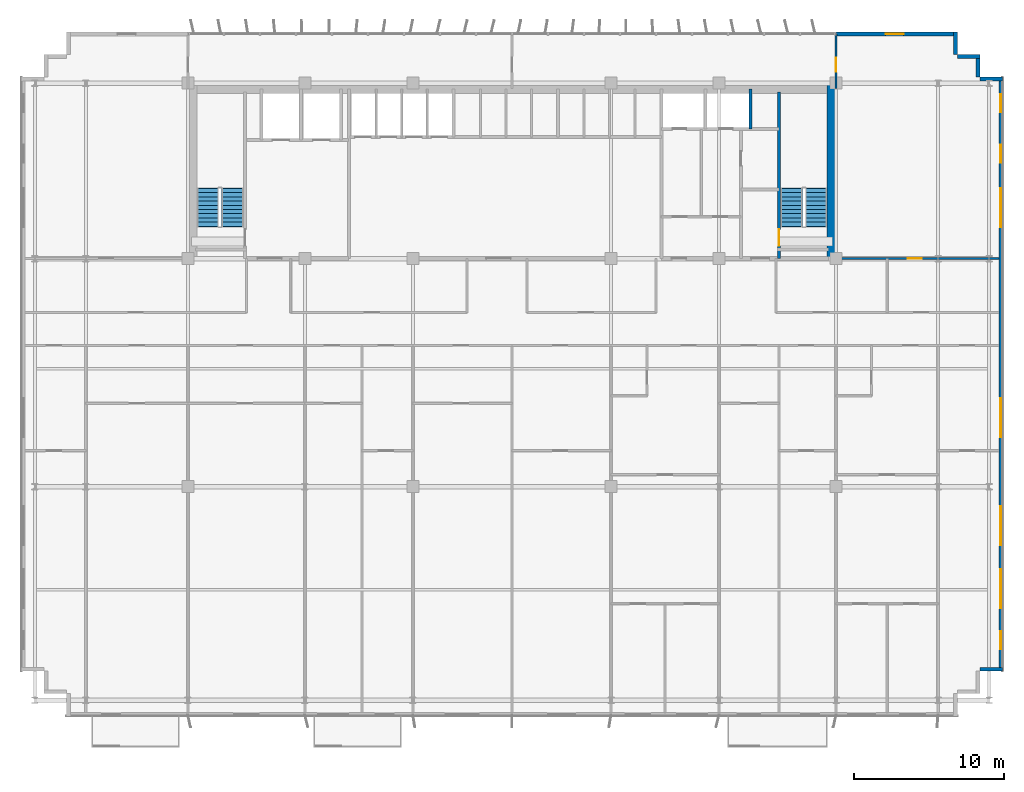
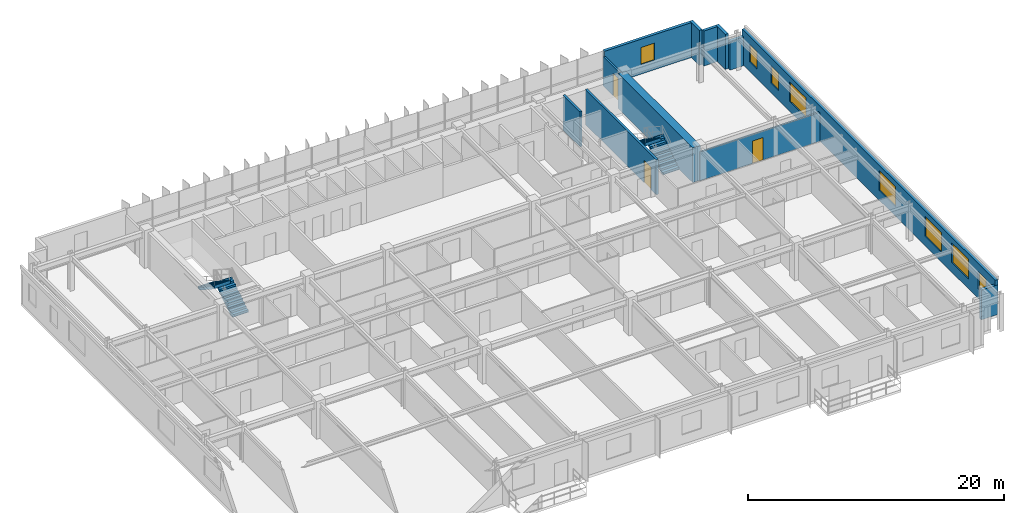
# One storey, part 18 of 21: 12 walls, 8 windows, 4 stair flights, 3 doors, 11 openings, 2 elements without a shape of their own.
"""IFC4 building model written with IfcOpenShell, lengths in metres."""

from ifc_helpers import new_model, si_unit, direction, frame, frame_2d, origin, place, context, subcontext, project, spatial, polyline, rectangle, outline, extrude, source, transform, mapped, material, layer, layer_set, type_object, element, fill, aggregate, save


model = new_model("IFC4")

# Units and contexts
model_context = context("Model", 3, precision=1e-05, world=origin(), true_north=direction((0.0, 1.0)))
body_context = subcontext(model_context, "Body", "Model", "MODEL_VIEW")
ifc_project = project(units=[si_unit("LENGTHUNIT", "METRE"), si_unit("AREAUNIT", "SQUARE_METRE"), si_unit("VOLUMEUNIT", "CUBIC_METRE"), si_unit("PLANEANGLEUNIT", "RADIAN"), si_unit("MASSUNIT", "GRAM", prefix="KILO")], contexts=[model_context])

# Site, building, storey
site_placement = place(None, origin())
site = spatial("IfcSite", under=ifc_project, at=site_placement, CompositionType="ELEMENT")
building_placement = place(site_placement, origin())
building = spatial("IfcBuilding", under=site, at=building_placement, Name="Trelvane Seafront Commons", CompositionType="ELEMENT")
storey_placement = place(building_placement, frame((0.0, 0.0, 110.5)))
storey = spatial("IfcBuildingStorey", under=building, at=storey_placement, Name="L28", CompositionType="ELEMENT", Elevation=110.5)

# Wall, opening, window
ifc_material_1 = material(Name="Precast concrete C40/50", Category="concrete")
ifc_layer_1 = layer(ifc_material_1, 0.260009765625, Name="ARCH-WALL-EXT260")
ifc_layer_set_1 = layer_set([ifc_layer_1], Name="Precast concrete C40/50")
wall_type_1 = type_object("IfcWallType", Name="ARCH-WALL-EXT260", PredefinedType="SOLIDWALL", material=ifc_layer_set_1)
wall_1_placement = place(storey_placement, frame((58.800048828125, 48.3701171875, 0.0), z_axis=(0.0, 0.0, 1.0), x_axis=(1.0, 0.0, 0.0)))
wall_1 = element("IfcWall", 1, at=wall_1_placement, inside=storey, type_object=wall_type_1, Name="EW-L28-NE-0518", PredefinedType="SOLIDWALL", context=body_context, shape_type="SweptSolid", body=[
    extrude(rectangle(XDim=8.0, YDim=0.260009765625, at=frame_2d((4.0, 0.0))), origin(), (0.0, 0.0, 1.0), 3.340087890625),
])
opening_1_placement = place(wall_1_placement, frame((3.30810546875, 0.0, 0.89990234375)))
opening_1 = element("IfcOpeningElement", 2, at=opening_1_placement, cuts=wall_1, Name="Opening W05", PredefinedType="OPENING", context=body_context, shape_type="SweptSolid", body=[
    extrude(rectangle(XDim=1.199951171875, YDim=1.64990234375, at=frame_2d((0.60009765625, 0.824951171875))), frame((0.0, 0.139892578125, 0.0), z_axis=(0.0, -1.0, 0.0), x_axis=(1.0, 0.0, 0.0)), (0.0, 0.0, 1.0), 0.280029296875),
])
ifc_material_2 = material(Name="Low-E coastal double glazing", Category="glass")
window_type_1 = type_object("IfcWindowType", Name="ARCH-WIN-W05", PartitioningType="SINGLE_PANEL", PredefinedType="WINDOW", material=ifc_material_2)
shared_shape_1 = source(origin(), body_context, "Body", "SweptSolid", [
    extrude(rectangle(XDim=1.199951171875, YDim=1.64990234375, at=frame_2d((0.60009765625, 0.824951171875))), frame((0.0, 0.030029296875, 0.0), z_axis=(0.0, -1.0, 0.0), x_axis=(1.0, 0.0, 0.0)), (0.0, 0.0, 1.0), 0.06005859375),
])
window_1_placement = place(opening_1_placement, origin())
window_1 = element("IfcWindow", 3, at=window_1_placement, inside=storey, type_object=window_type_1, Name="WIN-L28-00611", OverallHeight=1.64990234375, OverallWidth=1.199951171875, PartitioningType="SINGLE_PANEL", PredefinedType="WINDOW", context=body_context, shape_type="MappedRepresentation", body=[
    mapped(shared_shape_1, transform((0.0, 0.0, 0.0), x_axis=(1.0, 0.0, 0.0), y_axis=(0.0, 1.0, 0.0), z_axis=(0.0, 0.0, 1.0), scale=1.0)),
])
fill(opening_1, window_1)

# Walls
for number, where, z_axis, x_axis, name in (
    (4, (66.77001953125, 48.5, 0.0), (0.0, 0.0, 1.0), (0.0, -1.0, 0.0), "EW-L28-00527"),
    (5, (66.89990234375, 46.8701171875, 0.0), (0.0, 0.0, 1.0), (1.0, 0.0, 0.0), "EW-L28-00528"),
    (6, (68.27001953125, 47.0, 0.0), (0.0, 0.0, 1.0), (0.0, -1.0, 0.0), "EW-L28-00529"),
):
    element("IfcWall", number, at=place(storey_placement, frame(where, z_axis=z_axis, x_axis=x_axis)), inside=storey, type_object=wall_type_1, Name=name, PredefinedType="SOLIDWALL", context=body_context, shape_type="SweptSolid", body=[
        extrude(rectangle(XDim=1.5, YDim=0.260009765625, at=frame_2d((0.75, 0.0))), origin(), (0.0, 0.0, 1.0), 3.340087890625),
    ])
wall_2_placement = place(storey_placement, frame((68.39990234375, 45.3701171875, 0.0), z_axis=(0.0, 0.0, 1.0), x_axis=(1.0, 0.0, 0.0)))
element("IfcWall", 7, at=wall_2_placement, inside=storey, type_object=wall_type_1, Name="EW-L28-00530", PredefinedType="SOLIDWALL", context=body_context, shape_type="SweptSolid", body=[
    extrude(rectangle(XDim=1.5, YDim=0.260009765625, at=frame_2d((0.75, 0.0))), origin(), (0.0, 0.0, 1.0), 2.751953125),
])

# Wall, openings, windows
wall_3_placement = place(storey_placement, frame((69.77001953125, 45.5, 0.0), z_axis=(0.0, 0.0, 1.0), x_axis=(0.0, -1.0, 0.0)))
wall_3 = element("IfcWall", 8, at=wall_3_placement, inside=storey, type_object=wall_type_1, Name="EW-L28-00531", PredefinedType="SOLIDWALL", context=body_context, shape_type="SweptSolid", body=[
    extrude(rectangle(XDim=39.60009765625, YDim=0.260009765625, at=frame_2d((19.800048828125, 0.0))), origin(), (0.0, 0.0, 1.0), 3.340087890625),
])
opening_2_placement = place(wall_3_placement, frame((36.949951171875, 0.0, 0.919921875)))
opening_2 = element("IfcOpeningElement", 9, at=opening_2_placement, cuts=wall_3, Name="Opening W05", PredefinedType="OPENING", context=body_context, shape_type="SweptSolid", body=[
    extrude(rectangle(XDim=1.199951171875, YDim=1.64990234375, at=frame_2d((0.60009765625, 0.824951171875))), frame((0.0, 0.139892578125, 0.0), z_axis=(0.0, -1.0, 0.0), x_axis=(1.0, 0.0, 0.0)), (0.0, 0.0, 1.0), 0.280029296875),
])
opening_3_placement = place(wall_3_placement, frame((32.800048828125, 0.0, 0.919921875)))
opening_3 = element("IfcOpeningElement", 10, at=opening_3_placement, cuts=wall_3, Name="Opening W04", PredefinedType="OPENING", context=body_context, shape_type="SweptSolid", body=[
    extrude(rectangle(XDim=2.60009765625, YDim=1.89990234375, at=frame_2d((1.300048828125, 0.949951171875))), frame((0.0, 0.139892578125, 0.0), z_axis=(0.0, -1.0, 0.0), x_axis=(1.0, 0.0, 0.0)), (0.0, 0.0, 1.0), 0.280029296875),
])
opening_4_placement = place(wall_3_placement, frame((28.60009765625, 0.0, 0.919921875)))
opening_4 = element("IfcOpeningElement", 11, at=opening_4_placement, cuts=wall_3, Name="Opening W04", PredefinedType="OPENING", context=body_context, shape_type="SweptSolid", body=[
    extrude(rectangle(XDim=2.60009765625, YDim=1.89990234375, at=frame_2d((1.300048828125, 0.949951171875))), frame((0.0, 0.139892578125, 0.0), z_axis=(0.0, -1.0, 0.0), x_axis=(1.0, 0.0, 0.0)), (0.0, 0.0, 1.0), 0.280029296875),
])
opening_5_placement = place(wall_3_placement, frame((21.39990234375, 0.0, 0.919921875)))
opening_5 = element("IfcOpeningElement", 12, at=opening_5_placement, cuts=wall_3, Name="Opening W04", PredefinedType="OPENING", context=body_context, shape_type="SweptSolid", body=[
    extrude(rectangle(XDim=2.60009765625, YDim=1.89990234375, at=frame_2d((1.300048828125, 0.949951171875))), frame((0.0, 0.139892578125, 0.0), z_axis=(0.0, -1.0, 0.0), x_axis=(1.0, 0.0, 0.0)), (0.0, 0.0, 1.0), 0.280029296875),
])
opening_6_placement = place(wall_3_placement, frame((7.39990234375, 0.0, 0.919921875)))
opening_6 = element("IfcOpeningElement", 13, at=opening_6_placement, cuts=wall_3, Name="Opening W04", PredefinedType="OPENING", context=body_context, shape_type="SweptSolid", body=[
    extrude(rectangle(XDim=2.60009765625, YDim=1.89990234375, at=frame_2d((1.300048828125, 0.949951171875))), frame((0.0, 0.139892578125, 0.0), z_axis=(0.0, -1.0, 0.0), x_axis=(1.0, 0.0, 0.0)), (0.0, 0.0, 1.0), 0.280029296875),
])
opening_7_placement = place(wall_3_placement, frame((4.5, 0.0, 0.919921875)))
opening_7 = element("IfcOpeningElement", 14, at=opening_7_placement, cuts=wall_3, Name="Opening W05", PredefinedType="OPENING", context=body_context, shape_type="SweptSolid", body=[
    extrude(rectangle(XDim=1.199951171875, YDim=1.64990234375, at=frame_2d((0.60009765625, 0.824951171875))), frame((0.0, 0.139892578125, 0.0), z_axis=(0.0, -1.0, 0.0), x_axis=(1.0, 0.0, 0.0)), (0.0, 0.0, 1.0), 0.280029296875),
])
opening_8_placement = place(wall_3_placement, frame((1.14990234375, 0.0, 0.919921875)))
opening_8 = element("IfcOpeningElement", 15, at=opening_8_placement, cuts=wall_3, Name="Opening W05", PredefinedType="OPENING", context=body_context, shape_type="SweptSolid", body=[
    extrude(rectangle(XDim=1.199951171875, YDim=1.64990234375, at=frame_2d((0.60009765625, 0.824951171875))), frame((0.0, 0.139892578125, 0.0), z_axis=(0.0, -1.0, 0.0), x_axis=(1.0, 0.0, 0.0)), (0.0, 0.0, 1.0), 0.280029296875),
])
window_type_2 = type_object("IfcWindowType", Name="ARCH-WIN-W04", PartitioningType="SINGLE_PANEL", PredefinedType="WINDOW", material=ifc_material_2)
shared_shape_2 = source(origin(), body_context, "Body", "SweptSolid", [
    extrude(rectangle(XDim=2.60009765625, YDim=1.89990234375, at=frame_2d((1.300048828125, 0.949951171875))), frame((0.0, 0.030029296875, 0.0), z_axis=(0.0, -1.0, 0.0), x_axis=(1.0, 0.0, 0.0)), (0.0, 0.0, 1.0), 0.06005859375),
])
window_2_placement = place(opening_3_placement, origin())
window_2 = element("IfcWindow", 16, at=window_2_placement, inside=storey, type_object=window_type_2, Name="WIN-L28-EW-00620", OverallHeight=1.89990234375, OverallWidth=2.60009765625, PartitioningType="SINGLE_PANEL", PredefinedType="WINDOW", context=body_context, shape_type="MappedRepresentation", body=[
    mapped(shared_shape_2, transform((0.0, 0.0, 0.0), x_axis=(1.0, 0.0, 0.0), y_axis=(0.0, 1.0, 0.0), z_axis=(0.0, 0.0, 1.0), scale=1.0)),
])
fill(opening_3, window_2)
window_3_placement = place(opening_4_placement, origin())
window_3 = element("IfcWindow", 17, at=window_3_placement, inside=storey, type_object=window_type_2, Name="WIN-L28-EW-00621", OverallHeight=1.89990234375, OverallWidth=2.60009765625, PartitioningType="SINGLE_PANEL", PredefinedType="WINDOW", context=body_context, shape_type="MappedRepresentation", body=[
    mapped(shared_shape_2, transform((0.0, 0.0, 0.0), x_axis=(1.0, 0.0, 0.0), y_axis=(0.0, 1.0, 0.0), z_axis=(0.0, 0.0, 1.0), scale=1.0)),
])
fill(opening_4, window_3)
window_4_placement = place(opening_5_placement, origin())
window_4 = element("IfcWindow", 18, at=window_4_placement, inside=storey, type_object=window_type_2, Name="WIN-L28-EW-00622", OverallHeight=1.89990234375, OverallWidth=2.60009765625, PartitioningType="SINGLE_PANEL", PredefinedType="WINDOW", context=body_context, shape_type="MappedRepresentation", body=[
    mapped(shared_shape_2, transform((0.0, 0.0, 0.0), x_axis=(1.0, 0.0, 0.0), y_axis=(0.0, 1.0, 0.0), z_axis=(0.0, 0.0, 1.0), scale=1.0)),
])
fill(opening_5, window_4)
window_5_placement = place(opening_6_placement, origin())
window_5 = element("IfcWindow", 19, at=window_5_placement, inside=storey, type_object=window_type_2, Name="WIN-L28-EW-00623", OverallHeight=1.89990234375, OverallWidth=2.60009765625, PartitioningType="SINGLE_PANEL", PredefinedType="WINDOW", context=body_context, shape_type="MappedRepresentation", body=[
    mapped(shared_shape_2, transform((0.0, 0.0, 0.0), x_axis=(1.0, 0.0, 0.0), y_axis=(0.0, 1.0, 0.0), z_axis=(0.0, 0.0, 1.0), scale=1.0)),
])
fill(opening_6, window_5)
window_6_placement = place(opening_2_placement, origin())
window_6 = element("IfcWindow", 20, at=window_6_placement, inside=storey, type_object=window_type_1, Name="WIN-L28-EW-00619", OverallHeight=1.64990234375, OverallWidth=1.199951171875, PartitioningType="SINGLE_PANEL", PredefinedType="WINDOW", context=body_context, shape_type="MappedRepresentation", body=[
    mapped(shared_shape_1, transform((0.0, 0.0, 0.0), x_axis=(1.0, 0.0, 0.0), y_axis=(0.0, 1.0, 0.0), z_axis=(0.0, 0.0, 1.0), scale=1.0)),
])
fill(opening_2, window_6)
window_7_placement = place(opening_7_placement, origin())
window_7 = element("IfcWindow", 21, at=window_7_placement, inside=storey, type_object=window_type_1, Name="WIN-L28-EW-00624", OverallHeight=1.64990234375, OverallWidth=1.199951171875, PartitioningType="SINGLE_PANEL", PredefinedType="WINDOW", context=body_context, shape_type="MappedRepresentation", body=[
    mapped(shared_shape_1, transform((0.0, 0.0, 0.0), x_axis=(1.0, 0.0, 0.0), y_axis=(0.0, 1.0, 0.0), z_axis=(0.0, 0.0, 1.0), scale=1.0)),
])
fill(opening_7, window_7)
window_8_placement = place(opening_8_placement, origin())
window_8 = element("IfcWindow", 22, at=window_8_placement, inside=storey, type_object=window_type_1, Name="WIN-L28-EW-00625", OverallHeight=1.64990234375, OverallWidth=1.199951171875, PartitioningType="SINGLE_PANEL", PredefinedType="WINDOW", context=body_context, shape_type="MappedRepresentation", body=[
    mapped(shared_shape_1, transform((0.0, 0.0, 0.0), x_axis=(1.0, 0.0, 0.0), y_axis=(0.0, 1.0, 0.0), z_axis=(0.0, 0.0, 1.0), scale=1.0)),
])
fill(opening_8, window_8)

# Wall
wall_4_placement = place(storey_placement, frame((69.89990234375, 6.030029296875, 0.0), z_axis=(0.0, 0.0, 1.0), x_axis=(-1.0, 0.0, 0.0)))
element("IfcWall", 23, at=wall_4_placement, inside=storey, type_object=wall_type_1, Name="EW-L28-00532", PredefinedType="SOLIDWALL", context=body_context, shape_type="SweptSolid", body=[
    extrude(rectangle(XDim=1.5, YDim=0.260009765625, at=frame_2d((0.75, 0.0))), origin(), (0.0, 0.0, 1.0), 2.840087890625),
])

# Wall, opening, door
ifc_material_3 = material(Name="Gypsum Drywall Acoustic Partition")
ifc_layer_2 = layer(ifc_material_3, 0.14990234375, Name="ARCH-WALL-PART150")
ifc_layer_set_2 = layer_set([ifc_layer_2], Name="Gypsum Drywall Acoustic Partition")
wall_type_2 = type_object("IfcWallType", Name="ARCH-WALL-PART150", PredefinedType="PARTITIONING", material=ifc_layer_set_2)
wall_5_placement = place(storey_placement, frame((58.800048828125, 33.39990234375, 0.0), z_axis=(0.0, 0.0, 1.0), x_axis=(1.0, 0.0, 0.0)))
wall_5 = element("IfcWall", 24, at=wall_5_placement, inside=storey, type_object=wall_type_2, Name="W-L28-NE-ENT-050", PredefinedType="PARTITIONING", context=body_context, shape_type="SweptSolid", body=[
    extrude(rectangle(XDim=10.849853515625, YDim=0.14990234375, at=frame_2d((5.4248046875, 0.0))), origin(), (0.0, 0.0, 1.0), 2.751953125),
])
opening_9_placement = place(wall_5_placement, frame((4.760009765625, 0.0, 0.0)))
opening_9 = element("IfcOpeningElement", 25, at=opening_9_placement, cuts=wall_5, Name="Opening FD-L28-24", PredefinedType="OPENING", context=body_context, shape_type="SweptSolid", body=[
    extrude(rectangle(XDim=0.949951171875, YDim=2.14990234375, at=frame_2d((0.47509765625, 1.074951171875))), frame((0.0, 0.0849609375, 0.0), z_axis=(0.0, -1.0, 0.0), x_axis=(1.0, 0.0, 0.0)), (0.0, 0.0, 1.0), 0.169921875),
])
ifc_material_4 = material(Name="Powder-coated aluminium frame", Category="aluminium")
door_type_1 = type_object("IfcDoorType", Name="ARCH-DR-FD60-950", OperationType="NOTDEFINED", PredefinedType="DOOR", material=ifc_material_4)
shared_shape_3 = source(origin(), body_context, "Body", "SweptSolid", [
    extrude(rectangle(XDim=0.949951171875, YDim=2.14990234375, at=frame_2d((0.47509765625, 1.074951171875))), frame((0.0, 0.02490234375, 0.0), z_axis=(0.0, -1.0, 0.0), x_axis=(1.0, 0.0, 0.0)), (0.0, 0.0, 1.0), 0.050048828125),
])
door_1_placement = place(opening_9_placement, origin())
door_1 = element("IfcDoor", 26, at=door_1_placement, inside=storey, type_object=door_type_1, Name="L28 NE Suite Entrance Door", OperationType="SINGLE_SWING_RIGHT", OverallHeight=2.14990234375, OverallWidth=0.949951171875, PredefinedType="DOOR", context=body_context, shape_type="MappedRepresentation", body=[
    mapped(shared_shape_3, transform((0.0, 0.0, 0.0), x_axis=(1.0, 0.0, 0.0), y_axis=(0.0, 1.0, 0.0), z_axis=(0.0, 0.0, 1.0), scale=1.0)),
])
fill(opening_9, door_1)

wall_6_placement = place(storey_placement, frame((58.800048828125, 44.75, 0.0), z_axis=(0.0, 0.0, 1.0), x_axis=(0.0, 1.0, 0.0)))
wall_6 = element("IfcWall", 27, at=wall_6_placement, inside=storey, type_object=wall_type_2, Name="W-L28-N-LINK-E-053", PredefinedType="PARTITIONING", context=body_context, shape_type="SweptSolid", body=[
    extrude(rectangle(XDim=3.610107421875, YDim=0.14990234375, at=frame_2d((1.80517578125, 0.0))), origin(), (0.0, 0.0, 1.0), 2.840087890625),
])
opening_10_placement = place(wall_6_placement, frame((1.10009765625, 0.0, 0.0)))
opening_10 = element("IfcOpeningElement", 28, at=opening_10_placement, cuts=wall_6, Name="Opening FD-L28-27", PredefinedType="OPENING", context=body_context, shape_type="SweptSolid", body=[
    extrude(rectangle(XDim=0.949951171875, YDim=2.14990234375, at=frame_2d((0.47509765625, 1.074951171875))), frame((0.0, 0.0849609375, 0.0), z_axis=(0.0, -1.0, 0.0), x_axis=(1.0, 0.0, 0.0)), (0.0, 0.0, 1.0), 0.169921875),
])
door_2_placement = place(opening_10_placement, origin())
door_2 = element("IfcDoor", 29, at=door_2_placement, inside=storey, type_object=door_type_1, Name="L28 Door 27", OperationType="SINGLE_SWING_LEFT", OverallHeight=2.14990234375, OverallWidth=0.949951171875, PredefinedType="DOOR", context=body_context, shape_type="MappedRepresentation", body=[
    mapped(shared_shape_3, transform((0.0, 0.0, 0.0), x_axis=(1.0, 0.0, 0.0), y_axis=(0.0, 1.0, 0.0), z_axis=(0.0, 0.0, 1.0), scale=1.0)),
])
fill(opening_10, door_2)

# Walls
ifc_material_5 = material(Name="Concrete C40/50", Category="concrete")
ifc_layer_3 = layer(ifc_material_5, 0.199951171875, Name="ARCH-WALL-SHAFT200")
ifc_layer_set_3 = layer_set([ifc_layer_3], Name="Concrete C40/50")
wall_type_3 = type_object("IfcWallType", Name="ARCH-WALL-SHAFT200", PredefinedType="SOLIDWALL", material=ifc_layer_set_3)
wall_7_placement = place(storey_placement, frame((53.10009765625, 42.050048828125, 0.0), z_axis=(0.0, 0.0, 1.0), x_axis=(0.0, 1.0, 0.0)))
element("IfcWall", 30, at=wall_7_placement, inside=storey, type_object=wall_type_3, Name="W-L28-RSR-E-032", PredefinedType="SOLIDWALL", context=body_context, shape_type="SweptSolid", body=[
    extrude(rectangle(XDim=2.64990234375, YDim=0.199951171875, at=frame_2d((1.324951171875, 0.0))), origin(), (0.0, 0.0, 1.0), 3.340087890625),
])
ifc_material_6 = material(Name="Concrete C60/75", Category="concrete")
ifc_layer_4 = layer(ifc_material_6, 0.699951171875, Name="STR-WALL-CORE700")
ifc_layer_set_4 = layer_set([ifc_layer_4], Name="Concrete C60/75")
wall_type_4 = type_object("IfcWallType", Name="STR-WALL-CORE700", PredefinedType="SHEAR", material=ifc_layer_set_4)
wall_8_placement = place(storey_placement, frame((58.550048828125, 33.39990234375, 0.0), z_axis=(0.0, 0.0, 1.0), x_axis=(0.0, 1.0, 0.0)))
element("IfcWall", 31, at=wall_8_placement, inside=storey, type_object=wall_type_4, Name="W-L28-CE-END-003", PredefinedType="SHEAR", context=body_context, shape_type="SweptSolid", body=[
    extrude(rectangle(XDim=11.7001953125, YDim=0.699951171875, at=frame_2d((5.85009765625, 0.0))), origin(), (0.0, 0.0, 1.0), 3.340087890625),
])

# Wall, opening, door
ifc_material_7 = material(Name="Concrete C50/60", Category="concrete")
ifc_layer_5 = layer(ifc_material_7, 0.199951171875, Name="STR-WALL-STAIR200")
ifc_layer_set_5 = layer_set([ifc_layer_5], Name="Concrete C50/60")
wall_type_5 = type_object("IfcWallType", Name="STR-WALL-STAIR200", PredefinedType="SHEAR", material=ifc_layer_set_5)
wall_9_placement = place(storey_placement, frame((55.0, 33.39990234375, 0.0), z_axis=(0.0, 0.0, 1.0), x_axis=(0.0, 1.0, 0.0)))
wall_9 = element("IfcWall", 32, at=wall_9_placement, inside=storey, type_object=wall_type_5, Name="W-L28-ST2-W-007", PredefinedType="SHEAR", context=body_context, shape_type="SweptSolid", body=[
    extrude(rectangle(XDim=11.10009765625, YDim=0.199951171875, at=frame_2d((5.550048828125, 0.0))), origin(), (0.0, 0.0, 1.0), 3.340087890625),
])
opening_11_placement = place(wall_9_placement, frame((0.85009765625, 0.0, 0.0)))
opening_11 = element("IfcOpeningElement", 33, at=opening_11_placement, cuts=wall_9, Name="Opening ST-D2-L28", PredefinedType="OPENING", context=body_context, shape_type="SweptSolid", body=[
    extrude(rectangle(XDim=1.10009765625, YDim=2.14990234375, at=frame_2d((0.550048828125, 1.074951171875))), frame((0.0, 0.10986328125, 0.0), z_axis=(0.0, -1.0, 0.0), x_axis=(1.0, 0.0, 0.0)), (0.0, 0.0, 1.0), 0.219970703125),
])
door_type_2 = type_object("IfcDoorType", Name="ARCH-DR-FD90-1100", OperationType="NOTDEFINED", PredefinedType="DOOR", material=ifc_material_4)
shared_shape_4 = source(origin(), body_context, "Body", "SweptSolid", [
    extrude(rectangle(XDim=1.10009765625, YDim=2.14990234375, at=frame_2d((0.550048828125, 1.074951171875))), frame((0.0, 0.02490234375, 0.0), z_axis=(0.0, -1.0, 0.0), x_axis=(1.0, 0.0, 0.0)), (0.0, 0.0, 1.0), 0.050048828125),
])
door_3_placement = place(opening_11_placement, origin())
door_3 = element("IfcDoor", 34, at=door_3_placement, inside=storey, type_object=door_type_2, Name="L28 Stair ST-2 Vestibule Fire Door", OperationType="SINGLE_SWING_RIGHT", OverallHeight=2.14990234375, OverallWidth=1.10009765625, PredefinedType="DOOR", context=body_context, shape_type="MappedRepresentation", body=[
    mapped(shared_shape_4, transform((0.0, 0.0, 0.0), x_axis=(1.0, 0.0, 0.0), y_axis=(0.0, 1.0, 0.0), z_axis=(0.0, 0.0, 1.0), scale=1.0)),
])
fill(opening_11, door_3)

# Stair, stair flights
stair_type_1 = type_object("IfcStairType", Name="ARCH-STR-ST-1-R20-180", PredefinedType="HALF_TURN_STAIR", material=ifc_material_5)
stair_1_placement = place(storey_placement, origin())
stair_1 = element("IfcStair", 35, at=stair_1_placement, inside=storey, type_object=stair_type_1, Name="L28 West Protected Firefighting Exit Stair ST-1", PredefinedType="HALF_TURN_STAIR")
stair_flight_type_1 = type_object("IfcStairFlightType", Name="ARCH-FLG-ST-1-R20-180", PredefinedType="STRAIGHT", material=ifc_material_5)
shared_shape_5 = source(origin(), body_context, "Body", "SweptSolid", [
    extrude(outline(polyline([(-0.050048828125, -0.02001953125), (-0.050048828125, 0.0), (0.0, 0.0), (0.0, 0.179931640625), (0.280029296875, 0.179931640625), (0.280029296875, 0.360107421875), (0.56005859375, 0.360107421875), (0.56005859375, 0.5400390625), (0.840087890625, 0.5400390625), (0.840087890625, 0.719970703125), (1.1201171875, 0.719970703125), (1.1201171875, 0.89990234375), (1.39990234375, 0.89990234375), (1.39990234375, 1.080078125), (1.679931640625, 1.080078125), (1.679931640625, 1.260009765625), (1.9599609375, 1.260009765625), (1.9599609375, 1.43994140625), (2.239990234375, 1.43994140625), (2.239990234375, 1.6201171875), (2.52001953125, 1.6201171875), (2.52001953125, 1.800048828125), (2.570068359375, 1.800048828125), (2.570068359375, 1.650146484375), (2.52001953125, 1.44189453125), (0.277099609375, -0.02001953125), (-0.050048828125, -0.02001953125)])), frame((0.0, 0.72509765625, 0.0), z_axis=(0.0, -1.0, 0.0), x_axis=(1.0, 0.0, 0.0)), (0.0, 0.0, 1.0), 1.449951171875),
])
stair_flight_1_placement = place(storey_placement, frame((18.574951171875, 35.550048828125, 0.0), z_axis=(0.0, 0.0, 1.0), x_axis=(0.0, 1.0, 0.0)))
stair_flight_1 = element("IfcStairFlight", 36, at=stair_flight_1_placement, type_object=stair_flight_type_1, Name="ST-1 flight 1", NumberOfRisers=10, NumberOfTreads=9, PredefinedType="STRAIGHT", RiserHeight=0.18, TreadLength=0.28, context=body_context, shape_type="MappedRepresentation", body=[
    mapped(shared_shape_5, transform((0.0, 0.0, 0.0), x_axis=(1.0, 0.0, 0.0), y_axis=(0.0, 1.0, 0.0), z_axis=(0.0, 0.0, 1.0), scale=1.0)),
])
stair_flight_2_placement = place(storey_placement, frame((16.925048828125, 38.070068359375, 1.800048828125), z_axis=(0.0, 0.0, 1.0), x_axis=(0.0, -1.0, 0.0)))
stair_flight_2 = element("IfcStairFlight", 37, at=stair_flight_2_placement, type_object=stair_flight_type_1, Name="ST-1 flight 2", NumberOfRisers=10, NumberOfTreads=9, PredefinedType="STRAIGHT", RiserHeight=0.18, TreadLength=0.28, context=body_context, shape_type="MappedRepresentation", body=[
    mapped(shared_shape_5, transform((0.0, 0.0, 0.0), x_axis=(1.0, 0.0, 0.0), y_axis=(0.0, 1.0, 0.0), z_axis=(0.0, 0.0, 1.0), scale=1.0)),
])
aggregate(stair_1, [stair_flight_1, stair_flight_2])

stair_type_2 = type_object("IfcStairType", Name="ARCH-STR-ST-2-R20-180", PredefinedType="HALF_TURN_STAIR", material=ifc_material_5)
stair_2_placement = place(storey_placement, origin())
stair_2 = element("IfcStair", 38, at=stair_2_placement, inside=storey, type_object=stair_type_2, Name="L28 East Protected Firefighting Exit Stair ST-2", PredefinedType="HALF_TURN_STAIR")
stair_flight_type_2 = type_object("IfcStairFlightType", Name="ARCH-FLG-ST-2-R20-180", PredefinedType="STRAIGHT", material=ifc_material_5)
stair_flight_3_placement = place(storey_placement, frame((57.47509765625, 35.550048828125, 0.0), z_axis=(0.0, 0.0, 1.0), x_axis=(0.0, 1.0, 0.0)))
stair_flight_3 = element("IfcStairFlight", 39, at=stair_flight_3_placement, type_object=stair_flight_type_2, Name="ST-2 flight 1", NumberOfRisers=10, NumberOfTreads=9, PredefinedType="STRAIGHT", RiserHeight=0.18, TreadLength=0.28, context=body_context, shape_type="MappedRepresentation", body=[
    mapped(shared_shape_5, transform((0.0, 0.0, 0.0), x_axis=(1.0, 0.0, 0.0), y_axis=(0.0, 1.0, 0.0), z_axis=(0.0, 0.0, 1.0), scale=1.0)),
])
stair_flight_4_placement = place(storey_placement, frame((55.824951171875, 38.070068359375, 1.800048828125), z_axis=(0.0, 0.0, 1.0), x_axis=(0.0, -1.0, 0.0)))
stair_flight_4 = element("IfcStairFlight", 40, at=stair_flight_4_placement, type_object=stair_flight_type_2, Name="ST-2 flight 2", NumberOfRisers=10, NumberOfTreads=9, PredefinedType="STRAIGHT", RiserHeight=0.18, TreadLength=0.28, context=body_context, shape_type="MappedRepresentation", body=[
    mapped(shared_shape_5, transform((0.0, 0.0, 0.0), x_axis=(1.0, 0.0, 0.0), y_axis=(0.0, 1.0, 0.0), z_axis=(0.0, 0.0, 1.0), scale=1.0)),
])
aggregate(stair_2, [stair_flight_3, stair_flight_4])

save(model, "model.ifc")
